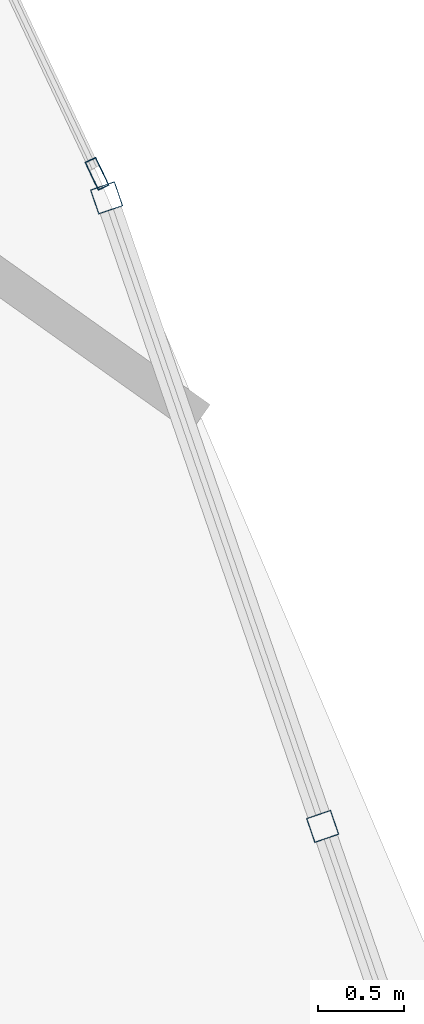
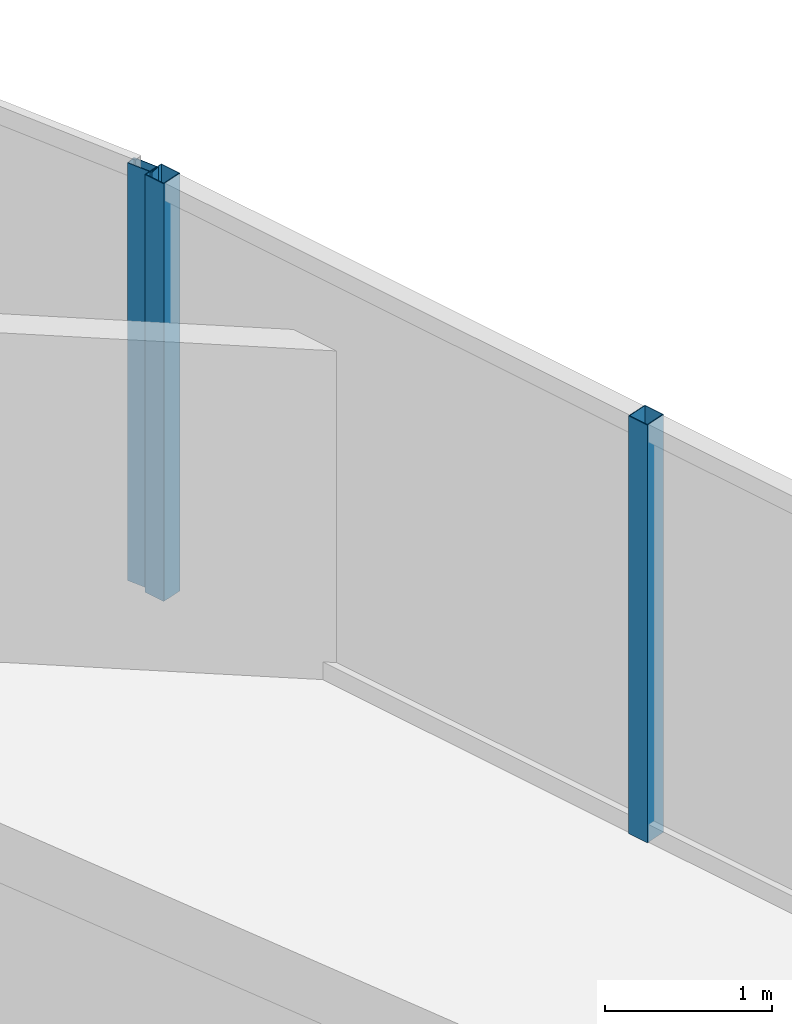
# One storey, part 16 of 34: 3 members, 2 elements without a shape of their own.
"""IFC4 building model written with IfcOpenShell, lengths in metres."""

import ifcopenshell
import ifcopenshell.guid

model = None  # the IFC model being written
_history = None  # IfcOwnerHistory: only IFC2X3 demands one
_inside = {}  # id of a spatial element -> (the spatial element, [elements in it])
_under = {}  # id of a project, library or spatial element -> (it, [spatial elements below it])
_declared = {}  # id of a project -> (the project, [libraries it declares])
_typed = {}  # id of a type object -> (the type object, [elements of that type])
_made_of = {}  # id of a material, layer set ... -> (it, [elements and type objects made of it])


def new_model(schema):
    """Start an empty IFC model of exactly this schema.

    Asked for "IFC4X3", IfcOpenShell would pick the latest addendum, in which some entities
    have other attributes; the version numbers below select the first issue.
    IFC2X3 requires an IfcOwnerHistory on every rooted entity: one is made here for all.
    """
    global model, _history
    if schema == "IFC4X3":
        model = ifcopenshell.file(schema_version=(4, 3, 0, 0))
    else:
        model = ifcopenshell.file(schema=schema)
    _inside.clear()
    _under.clear()
    _declared.clear()
    _typed.clear()
    _made_of.clear()
    _history = None
    if model.schema == "IFC2X3":
        org = make("IfcOrganization", Name="unknown")
        user = make(
            "IfcPersonAndOrganization",
            ThePerson=make("IfcPerson", FamilyName="unknown"),
            TheOrganization=org,
        )
        app = make(
            "IfcApplication",
            ApplicationDeveloper=org,
            Version="unknown",
            ApplicationFullName="unknown",
            ApplicationIdentifier="unknown",
        )
        _history = make(
            "IfcOwnerHistory",
            OwningUser=user,
            OwningApplication=app,
            ChangeAction="ADDED",
            CreationDate=0,
        )
    return model


def make(cls, **values):
    """One entity of the class cls with the attributes given. An attribute that is None is left unset."""
    return model.create_entity(
        cls, **{name: value for name, value in values.items() if value is not None}
    )


def rooted(cls, **values):
    """An entity with a GlobalId (a new one), such as an element, a storey or a relation."""
    return make(cls, GlobalId=ifcopenshell.guid.new(), OwnerHistory=_history, **values)


def si_unit(unit_type, name, prefix=None):
    """IfcSIUnit, for example si_unit("LENGTHUNIT", "METRE", prefix="MILLI")."""
    return make("IfcSIUnit", UnitType=unit_type, Prefix=prefix, Name=name)


def assignment(units):
    """IfcUnitAssignment: the units of a project."""
    return None if units is None else make("IfcUnitAssignment", Units=units)


def point(xyz):
    """IfcCartesianPoint."""
    return None if xyz is None else make("IfcCartesianPoint", Coordinates=xyz)


def direction(xyz):
    """IfcDirection."""
    return None if xyz is None else make("IfcDirection", DirectionRatios=xyz)


def frame(location, z_axis=None, x_axis=None):
    """IfcAxis2Placement3D, a coordinate frame: its origin and axes. An axis left out is left unset."""
    return make(
        "IfcAxis2Placement3D",
        Location=point(location),
        Axis=direction(z_axis),
        RefDirection=direction(x_axis),
    )


def frame_2d(location, x_axis=None):
    """IfcAxis2Placement2D, a coordinate frame in the plane: its origin and x axis."""
    return make(
        "IfcAxis2Placement2D", Location=point(location), RefDirection=direction(x_axis)
    )


def origin():
    """The frame at (0, 0, 0) with its axes left unset."""
    return frame((0.0, 0.0, 0.0))


def origin_2d():
    """The frame at (0, 0) in the plane with its x axis left unset."""
    return frame_2d((0.0, 0.0))


def place(relative_to, where):
    """IfcLocalPlacement: puts the frame where relative to a parent placement (None: the world)."""
    return make(
        "IfcLocalPlacement", PlacementRelTo=relative_to, RelativePlacement=where
    )


def context(
    kind, dimensions, precision=None, world=None, true_north=None, identifier=None
):
    """IfcGeometricRepresentationContext, for example the 3D "Model" context."""
    return make(
        "IfcGeometricRepresentationContext",
        ContextIdentifier=identifier,
        ContextType=kind,
        CoordinateSpaceDimension=dimensions,
        Precision=precision,
        WorldCoordinateSystem=world,
        TrueNorth=true_north,
    )


def subcontext(parent, identifier, kind, view, scale=None):
    """IfcGeometricRepresentationSubContext, for example "Body" below "Model"."""
    return make(
        "IfcGeometricRepresentationSubContext",
        ContextIdentifier=identifier,
        ContextType=kind,
        ParentContext=parent,
        TargetScale=scale,
        TargetView=view,
    )


def project(units=None, contexts=None):
    """IfcProject with its units and contexts."""
    return rooted(
        "IfcProject",
        Name="project",
        RepresentationContexts=contexts,
        UnitsInContext=assignment(units),
    )


def spatial(cls, under=None, at=None, **own):
    """A site, building, storey or space (cls), placed at a placement, below another one or the project."""
    s = rooted(cls, ObjectPlacement=at, **own)
    if under is not None:
        _under.setdefault(under.id(), (under, []))[1].append(s)
    return s


def profile(cls, at=None, kind="AREA", **sizes):
    """A parametric profile (cls). Its sizes go by their IFC names, for example OverallWidth=200.0."""
    return make(cls, ProfileType=kind, Position=at, **sizes)


def hollow_rectangle(**sizes):
    """IfcRectangleHollowProfileDef."""
    return profile("IfcRectangleHollowProfileDef", **sizes)


def extrude(swept, where, along, depth):
    """IfcExtrudedAreaSolid: the profile swept, set in the frame where, extruded along a direction by depth."""
    return make(
        "IfcExtrudedAreaSolid",
        SweptArea=swept,
        Position=where,
        ExtrudedDirection=direction(along),
        Depth=depth,
    )


def shape(context_of_items, identifier, shape_type, items):
    """IfcShapeRepresentation: the items that make up one representation, for example the "Body"."""
    return make(
        "IfcShapeRepresentation",
        ContextOfItems=context_of_items,
        RepresentationIdentifier=identifier,
        RepresentationType=shape_type,
        Items=items,
    )


def material(Name=None, Category=None):
    """IfcMaterial."""
    return make("IfcMaterial", Name=Name, Category=Category)


def layer(
    of_material, thickness, ventilated=None, Name=None, Category=None, Priority=None
):
    """IfcMaterialLayer: one layer of a wall or slab, of a material (None: an air gap)."""
    return make(
        "IfcMaterialLayer",
        Material=of_material,
        LayerThickness=thickness,
        IsVentilated=ventilated,
        Name=Name,
        Category=Category,
        Priority=Priority,
    )


def layer_set(layers, Name=None):
    """IfcMaterialLayerSet."""
    return make("IfcMaterialLayerSet", MaterialLayers=layers, LayerSetName=Name)


def material_profile(
    of_material, cross_section, Name=None, Category=None, Priority=None
):
    """IfcMaterialProfile: a cross section and its material."""
    return make(
        "IfcMaterialProfile",
        Name=Name,
        Material=of_material,
        Profile=cross_section,
        Priority=Priority,
        Category=Category,
    )


def profile_set(profiles, Name=None, composite=None):
    """IfcMaterialProfileSet."""
    return make(
        "IfcMaterialProfileSet",
        Name=Name,
        MaterialProfiles=profiles,
        CompositeProfile=composite,
    )


def made_of(thing, what):
    """Note that an element or type object is made of a material, layer set ...; save() writes the relation."""
    if what is not None:
        _made_of.setdefault(what.id(), (what, []))[1].append(thing)
    return thing


def type_object(cls, material=None, **own):
    """A type object (cls), such as IfcWallType, which elements share."""
    return made_of(rooted(cls, **own), material)


def element(
    cls,
    number,
    at=None,
    inside=None,
    cuts=None,
    type_object=None,
    material=None,
    context=None,
    identifier="Body",
    shape_type=None,
    held_by="IfcProductDefinitionShape",
    body=None,
    shapes=None,
    **own,
):
    """One element of the class cls, such as IfcWall. Its Tag is "e" and its number.

    at: its placement. inside: the storey or other place that contains it. cuts: it is an
    opening in that element (IfcRelVoidsElement). A single representation is given by context,
    identifier, shape_type and body (its items); several are given by shapes. held_by: the class
    of the entity that holds the representations. save() writes the other relations.
    """
    e = rooted(cls, Tag="e%d" % number, ObjectPlacement=at, **own)
    if body is not None:
        shapes = [shape(context, identifier, shape_type, body)]
    if shapes is not None:
        e.Representation = make(held_by, Representations=shapes)
    if inside is not None:
        _inside.setdefault(inside.id(), (inside, []))[1].append(e)
    if cuts is not None:
        rooted(
            "IfcRelVoidsElement", RelatingBuildingElement=cuts, RelatedOpeningElement=e
        )
    if type_object is not None:
        _typed.setdefault(type_object.id(), (type_object, []))[1].append(e)
    return made_of(e, material)


def aggregate(whole, parts):
    """IfcRelAggregates: a whole, such as a stair, and the parts it consists of."""
    return rooted("IfcRelAggregates", RelatingObject=whole, RelatedObjects=parts)


def save(model, path):
    """Write the relations noted so far, then the file.

    IfcRelAggregates (storeys below a building ...), IfcRelContainedInSpatialStructure (elements
    in a storey), IfcRelDefinesByType, IfcRelAssociatesMaterial and IfcRelDeclares: one each for
    every whole, place, type object, material and project.
    """
    for whole, parts in _under.values():
        aggregate(whole, parts)
    for where, things in _inside.values():
        rooted(
            "IfcRelContainedInSpatialStructure",
            RelatedElements=things,
            RelatingStructure=where,
        )
    for kind, things in _typed.values():
        rooted("IfcRelDefinesByType", RelatedObjects=things, RelatingType=kind)
    for what, things in _made_of.values():
        rooted("IfcRelAssociatesMaterial", RelatedObjects=things, RelatingMaterial=what)
    for by, libraries in _declared.values():
        rooted("IfcRelDeclares", RelatingContext=by, RelatedDefinitions=libraries)
    model.write(path)


model = new_model("IFC4")

# Units and contexts
model_context = context("Model", 3, precision=1e-05, world=origin(), true_north=direction((0.0, 1.0)))
body_context = subcontext(model_context, "Body", "Model", "MODEL_VIEW")
ifc_project = project(units=[si_unit("LENGTHUNIT", "METRE"), si_unit("AREAUNIT", "SQUARE_METRE"), si_unit("VOLUMEUNIT", "CUBIC_METRE"), si_unit("PLANEANGLEUNIT", "RADIAN"), si_unit("MASSUNIT", "GRAM", prefix="KILO")], contexts=[model_context])

# Site, building, storey
site_placement = place(None, origin())
site = spatial("IfcSite", under=ifc_project, at=site_placement, CompositionType="ELEMENT")
building_placement = place(site_placement, origin())
building = spatial("IfcBuilding", under=site, at=building_placement, Name="Orvanel Arch Residences", CompositionType="ELEMENT")
storey_placement = place(building_placement, frame((0.0, 0.0, 67.550048828125)))
storey = spatial("IfcBuildingStorey", under=building, at=storey_placement, Name="L18", CompositionType="ELEMENT", Elevation=67.550048828125)

# Curtain wall, members
ifc_material = material(Name="Bronze-anodised aluminium AA6063-T6", Category="aluminium")
ifc_layer_1 = layer(ifc_material, 0.18994140625)
ifc_layer_set_1 = layer_set([ifc_layer_1], Name="Bronze-anodised aluminium AA6063-T6")
curtain_wall_type_1 = type_object("IfcCurtainWallType", Name="CW5-CRN-SYS", PredefinedType="NOTDEFINED", material=ifc_layer_set_1)
curtain_wall_1_placement = place(storey_placement, origin())
curtain_wall_1 = element("IfcCurtainWall", 1, at=curtain_wall_1_placement, inside=storey, type_object=curtain_wall_type_1, Name="L18 CW5-CRN-SYS Unitised Curtain Wall", PredefinedType="NOTDEFINED")
ifc_material_profile_1 = material_profile(ifc_material, hollow_rectangle(XDim=0.14990234375, YDim=0.14990234375, WallThickness=0.0048828125, at=origin_2d()), Name="ALU150x150x5")
ifc_profile_set_1 = profile_set([ifc_material_profile_1], Name="Bronze-anodised aluminium AA6063-T6")
member_type_1 = type_object("IfcMemberType", Name="MUL-150x150", PredefinedType="MULLION", material=ifc_profile_set_1)
member_1_placement = place(storey_placement, frame((59.574951171875, 9.781982421875, 0.0), z_axis=(0.0, 0.0, 1.0), x_axis=(-0.945657194416, -0.325165297425, 0.0)))
member_1 = element("IfcMember", 2, at=member_1_placement, type_object=member_type_1, Name="CW-S5 mullion 2", PredefinedType="MULLION", context=body_context, shape_type="SweptSolid", body=[
    extrude(hollow_rectangle(XDim=0.14990234375, YDim=0.14990234375, WallThickness=0.0048828125, at=origin_2d()), origin(), (0.0, 0.0, 1.0), 3.06005859375),
])
member_2_placement = place(storey_placement, frame((58.324462890625, 13.419189453125, 0.0), z_axis=(0.0, 0.0, 1.0), x_axis=(-0.945657194416, -0.325165297425, 0.0)))
member_2 = element("IfcMember", 3, at=member_2_placement, type_object=member_type_1, Name="CW-S5 mullion 3", PredefinedType="MULLION", context=body_context, shape_type="SweptSolid", body=[
    extrude(hollow_rectangle(XDim=0.14990234375, YDim=0.14990234375, WallThickness=0.0048828125, at=origin_2d()), origin(), (0.0, 0.0, 1.0), 3.06005859375),
])
aggregate(curtain_wall_1, [member_1, member_2])

# Curtain wall, member
ifc_layer_2 = layer(ifc_material, 0.179931640625)
ifc_layer_set_2 = layer_set([ifc_layer_2], Name="Bronze-anodised aluminium AA6063-T6")
curtain_wall_type_2 = type_object("IfcCurtainWallType", Name="CW2-LOW-SYS", PredefinedType="NOTDEFINED", material=ifc_layer_set_2)
curtain_wall_2_placement = place(storey_placement, origin())
curtain_wall_2 = element("IfcCurtainWall", 4, at=curtain_wall_2_placement, inside=storey, type_object=curtain_wall_type_2, Name="L18 CW2-LOW-SYS Unitised Curtain Wall", PredefinedType="NOTDEFINED")
ifc_material_profile_2 = material_profile(ifc_material, hollow_rectangle(XDim=0.070068359375, YDim=0.179931640625, WallThickness=0.00439453125, at=origin_2d()), Name="ALU180x70x4.5")
ifc_profile_set_2 = profile_set([ifc_material_profile_2], Name="Bronze-anodised aluminium AA6063-T6")
member_type_2 = type_object("IfcMemberType", Name="MUL-180x70", PredefinedType="MULLION", material=ifc_profile_set_2)
member_3_placement = place(storey_placement, frame((58.26904296875, 13.55859375, 0.0), z_axis=(0.0, 0.0, 1.0), x_axis=(-0.903875434189, -0.427795745036, 0.0)))
member_3 = element("IfcMember", 5, at=member_3_placement, type_object=member_type_2, Name="CW-S2 mullion 1", PredefinedType="MULLION", context=body_context, shape_type="SweptSolid", body=[
    extrude(hollow_rectangle(XDim=0.070068359375, YDim=0.179931640625, WallThickness=0.00439453125, at=origin_2d()), origin(), (0.0, 0.0, 1.0), 3.06005859375),
])
aggregate(curtain_wall_2, [member_3])

save(model, "model.ifc")
